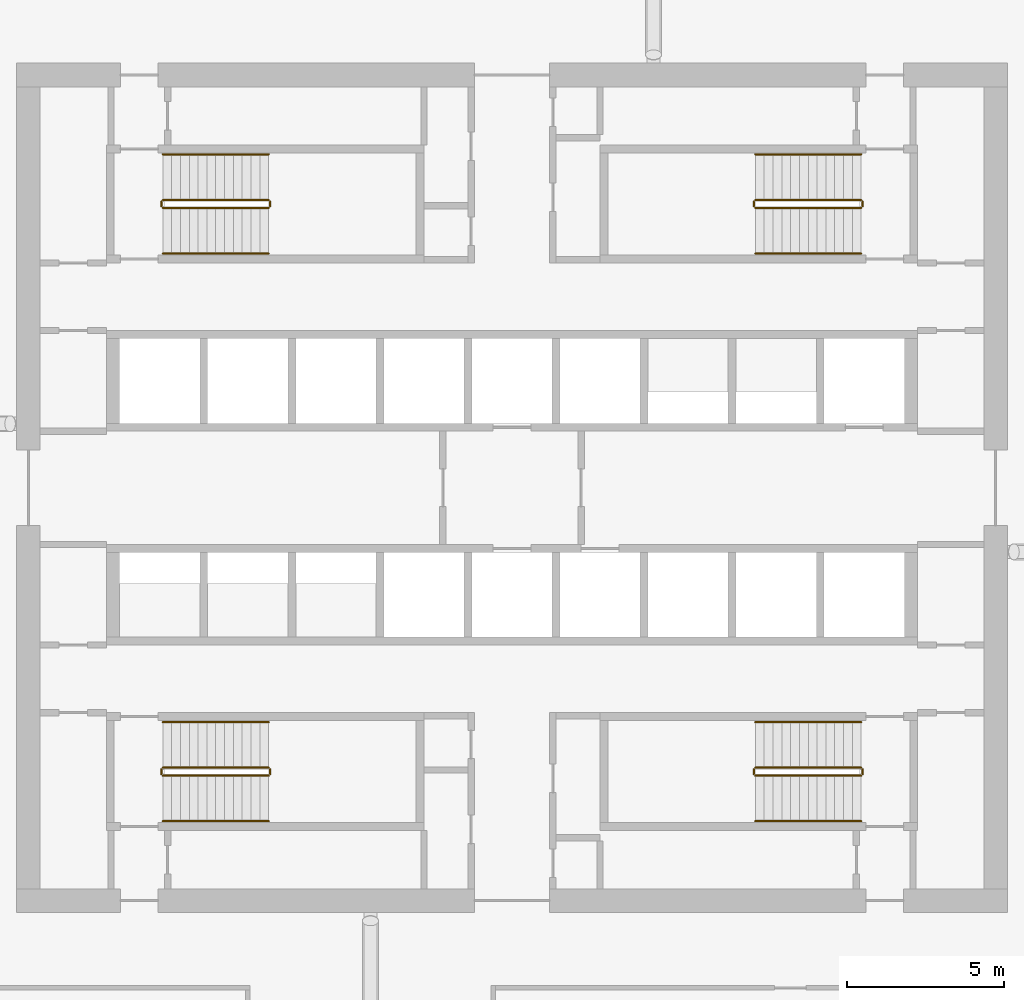
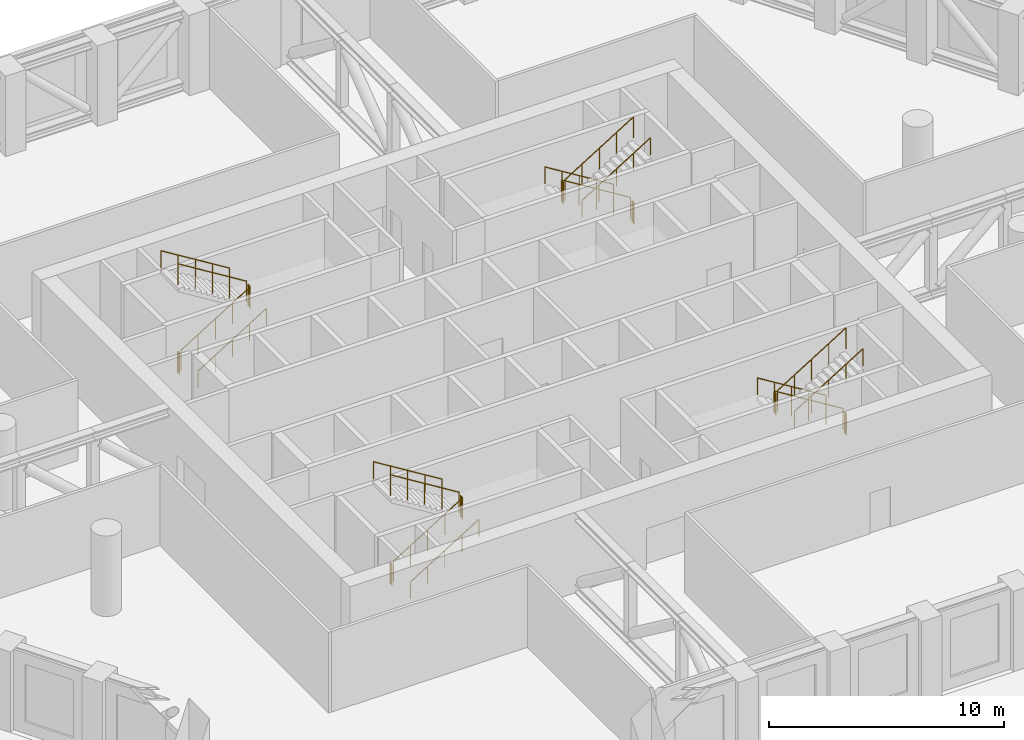
# One storey, part 18 of 18: 24 railings.
"""IFC4 building model written with IfcOpenShell, lengths in metres."""

from ifc_helpers import new_model, si_unit, direction, frame, origin, origin_2d, place, context, subcontext, project, spatial, circle, extrude, material, type_object, element, save


model = new_model("IFC4")

# Units and contexts
model_context = context("Model", 3, precision=1e-05, world=origin(), true_north=direction((0.0, 1.0)))
body_context = subcontext(model_context, "Body", "Model", "MODEL_VIEW")
ifc_project = project(units=[si_unit("LENGTHUNIT", "METRE"), si_unit("AREAUNIT", "SQUARE_METRE"), si_unit("VOLUMEUNIT", "CUBIC_METRE"), si_unit("PLANEANGLEUNIT", "RADIAN"), si_unit("MASSUNIT", "GRAM", prefix="KILO")], contexts=[model_context])

# Site, building, storey
site_placement = place(None, origin())
site = spatial("IfcSite", under=ifc_project, at=site_placement, CompositionType="ELEMENT")
building_placement = place(site_placement, origin())
building = spatial("IfcBuilding", under=site, at=building_placement, Name="Dhurran Vertical Campus", CompositionType="ELEMENT")
storey_placement = place(building_placement, frame((0.0, 0.0, 128.10009765625)))
storey = spatial("IfcBuildingStorey", under=building, at=storey_placement, Name="L31 Plant", CompositionType="ELEMENT", Elevation=128.10009765625)

# Railings
ifc_material_1 = material(Name="Stainless steel balustrade", Category="steel")
railing_type_1 = type_object("IfcRailingType", Name="co-RL-GUARD-1100", PredefinedType="GUARDRAIL", material=ifc_material_1)
railing_1_placement = place(storey_placement, frame((-11.10009765625, 8.89990234375, 0.173095703125)))
element("IfcRailing", 1, at=railing_1_placement, inside=storey, type_object=railing_type_1, Name="L31 Plant ST1 stair guard 1", PredefinedType="GUARDRAIL", context=body_context, shape_type="SweptSolid", body=[
    extrude(circle(Radius=0.02392578125, at=origin_2d()), frame((0.0, 0.0, 1.076171875), z_axis=(0.850623216509, 0.0, 0.525775754039), x_axis=(0.0, 1.0, 0.0)), (0.0, 0.0, 1.0), 3.9501953125),
    extrude(circle(Radius=0.02099609375, at=origin_2d()), origin(), (0.0, 0.0, 1.0), 1.052001953125),
    extrude(circle(Radius=0.02099609375, at=origin_2d()), frame((0.840087890625, 0.0, 0.519287109375)), (0.0, 0.0, 1.0), 1.052001953125),
    extrude(circle(Radius=0.02099609375, at=origin_2d()), frame((1.68017578125, 0.0, 1.03857421875)), (0.0, 0.0, 1.0), 1.052001953125),
    extrude(circle(Radius=0.02099609375, at=origin_2d()), frame((2.52001953125, 0.0, 1.5576171875)), (0.0, 0.0, 1.0), 1.052001953125),
    extrude(circle(Radius=0.02099609375, at=origin_2d()), frame((3.360107421875, 0.0, 2.076904296875)), (0.0, 0.0, 1.0), 1.052001953125),
])
railing_2_placement = place(storey_placement, frame((-7.68994140625, 8.949951171875, 2.25)))
element("IfcRailing", 2, at=railing_2_placement, inside=storey, type_object=railing_type_1, Name="L31 Plant ST1 stair guard 2", PredefinedType="GUARDRAIL", context=body_context, shape_type="SweptSolid", body=[
    extrude(circle(Radius=0.02392578125, at=origin_2d()), frame((0.0, 0.0, 1.076171875), z_axis=(0.0, 1.0, 0.0), x_axis=(-1.0, 0.0, 0.0)), (0.0, 0.0, 1.0), 0.150146484375),
    extrude(circle(Radius=0.02099609375, at=origin_2d()), origin(), (0.0, 0.0, 1.0), 1.052001953125),
    extrude(circle(Radius=0.02099609375, at=origin_2d()), frame((0.0, 0.150146484375, 0.0)), (0.0, 0.0, 1.0), 1.052001953125),
])
railing_3_placement = place(storey_placement, frame((-7.739990234375, 9.14990234375, 2.423095703125)))
element("IfcRailing", 3, at=railing_3_placement, inside=storey, type_object=railing_type_1, Name="L31 Plant ST1 stair guard 3", PredefinedType="GUARDRAIL", context=body_context, shape_type="SweptSolid", body=[
    extrude(circle(Radius=0.02392578125, at=origin_2d()), frame((0.0, 0.0, 1.076171875), z_axis=(-0.850623216509, 0.0, 0.525775754039), x_axis=(0.0, -1.0, 0.0)), (0.0, 0.0, 1.0), 3.9501953125),
    extrude(circle(Radius=0.02099609375, at=origin_2d()), origin(), (0.0, 0.0, 1.0), 1.052001953125),
    extrude(circle(Radius=0.02099609375, at=origin_2d()), frame((-0.840087890625, 0.0, 0.519287109375)), (0.0, 0.0, 1.0), 1.052001953125),
    extrude(circle(Radius=0.02099609375, at=origin_2d()), frame((-1.68017578125, 0.0, 1.03857421875)), (0.0, 0.0, 1.0), 1.052001953125),
    extrude(circle(Radius=0.02099609375, at=origin_2d()), frame((-2.52001953125, 0.0, 1.5576171875)), (0.0, 0.0, 1.0), 1.052001953125),
    extrude(circle(Radius=0.02099609375, at=origin_2d()), frame((-3.360107421875, 0.0, 2.076904296875)), (0.0, 0.0, 1.0), 1.052001953125),
])
railing_4_placement = place(storey_placement, frame((-11.14990234375, 8.949951171875, 0.0)))
element("IfcRailing", 4, at=railing_4_placement, inside=storey, type_object=railing_type_1, Name="L31 Plant ST1 stair guard 4", PredefinedType="GUARDRAIL", context=body_context, shape_type="SweptSolid", body=[
    extrude(circle(Radius=0.02392578125, at=origin_2d()), frame((0.0, 0.0, 1.076171875), z_axis=(0.0, 1.0, 0.0), x_axis=(-1.0, 0.0, 0.0)), (0.0, 0.0, 1.0), 0.150146484375),
    extrude(circle(Radius=0.02099609375, at=origin_2d()), origin(), (0.0, 0.0, 1.0), 1.052001953125),
    extrude(circle(Radius=0.02099609375, at=origin_2d()), frame((0.0, 0.150146484375, 0.0)), (0.0, 0.0, 1.0), 1.052001953125),
])
railing_5_placement = place(storey_placement, frame((11.10009765625, 9.14990234375, 0.173095703125)))
element("IfcRailing", 5, at=railing_5_placement, inside=storey, type_object=railing_type_1, Name="L31 Plant ST2 stair guard 1", PredefinedType="GUARDRAIL", context=body_context, shape_type="SweptSolid", body=[
    extrude(circle(Radius=0.02392578125, at=origin_2d()), frame((0.0, 0.0, 1.076171875), z_axis=(-0.850623216509, 0.0, 0.525775754039), x_axis=(0.0, -1.0, 0.0)), (0.0, 0.0, 1.0), 3.9501953125),
    extrude(circle(Radius=0.02099609375, at=origin_2d()), origin(), (0.0, 0.0, 1.0), 1.052001953125),
    extrude(circle(Radius=0.02099609375, at=origin_2d()), frame((-0.840087890625, 0.0, 0.519287109375)), (0.0, 0.0, 1.0), 1.052001953125),
    extrude(circle(Radius=0.02099609375, at=origin_2d()), frame((-1.68017578125, 0.0, 1.03857421875)), (0.0, 0.0, 1.0), 1.052001953125),
    extrude(circle(Radius=0.02099609375, at=origin_2d()), frame((-2.52001953125, 0.0, 1.5576171875)), (0.0, 0.0, 1.0), 1.052001953125),
    extrude(circle(Radius=0.02099609375, at=origin_2d()), frame((-3.360107421875, 0.0, 2.076904296875)), (0.0, 0.0, 1.0), 1.052001953125),
])
railing_6_placement = place(storey_placement, frame((7.68994140625, 9.10009765625, 2.25)))
element("IfcRailing", 6, at=railing_6_placement, inside=storey, type_object=railing_type_1, Name="L31 Plant ST2 stair guard 2", PredefinedType="GUARDRAIL", context=body_context, shape_type="SweptSolid", body=[
    extrude(circle(Radius=0.02392578125, at=origin_2d()), frame((0.0, 0.0, 1.076171875), z_axis=(0.0, -1.0, 0.0), x_axis=(1.0, 0.0, 0.0)), (0.0, 0.0, 1.0), 0.150146484375),
    extrude(circle(Radius=0.02099609375, at=origin_2d()), origin(), (0.0, 0.0, 1.0), 1.052001953125),
    extrude(circle(Radius=0.02099609375, at=origin_2d()), frame((0.0, -0.150146484375, 0.0)), (0.0, 0.0, 1.0), 1.052001953125),
])
railing_7_placement = place(storey_placement, frame((7.739990234375, 8.89990234375, 2.423095703125)))
element("IfcRailing", 7, at=railing_7_placement, inside=storey, type_object=railing_type_1, Name="L31 Plant ST2 stair guard 3", PredefinedType="GUARDRAIL", context=body_context, shape_type="SweptSolid", body=[
    extrude(circle(Radius=0.02392578125, at=origin_2d()), frame((0.0, 0.0, 1.076171875), z_axis=(0.850623216509, 0.0, 0.525775754039), x_axis=(0.0, 1.0, 0.0)), (0.0, 0.0, 1.0), 3.9501953125),
    extrude(circle(Radius=0.02099609375, at=origin_2d()), origin(), (0.0, 0.0, 1.0), 1.052001953125),
    extrude(circle(Radius=0.02099609375, at=origin_2d()), frame((0.840087890625, 0.0, 0.519287109375)), (0.0, 0.0, 1.0), 1.052001953125),
    extrude(circle(Radius=0.02099609375, at=origin_2d()), frame((1.68017578125, 0.0, 1.03857421875)), (0.0, 0.0, 1.0), 1.052001953125),
    extrude(circle(Radius=0.02099609375, at=origin_2d()), frame((2.52001953125, 0.0, 1.5576171875)), (0.0, 0.0, 1.0), 1.052001953125),
    extrude(circle(Radius=0.02099609375, at=origin_2d()), frame((3.360107421875, 0.0, 2.076904296875)), (0.0, 0.0, 1.0), 1.052001953125),
])
railing_8_placement = place(storey_placement, frame((11.14990234375, 9.10009765625, 0.0)))
element("IfcRailing", 8, at=railing_8_placement, inside=storey, type_object=railing_type_1, Name="L31 Plant ST2 stair guard 4", PredefinedType="GUARDRAIL", context=body_context, shape_type="SweptSolid", body=[
    extrude(circle(Radius=0.02392578125, at=origin_2d()), frame((0.0, 0.0, 1.076171875), z_axis=(0.0, -1.0, 0.0), x_axis=(1.0, 0.0, 0.0)), (0.0, 0.0, 1.0), 0.150146484375),
    extrude(circle(Radius=0.02099609375, at=origin_2d()), origin(), (0.0, 0.0, 1.0), 1.052001953125),
    extrude(circle(Radius=0.02099609375, at=origin_2d()), frame((0.0, -0.150146484375, 0.0)), (0.0, 0.0, 1.0), 1.052001953125),
])
railing_9_placement = place(storey_placement, frame((-11.10009765625, -9.14990234375, 0.173095703125)))
element("IfcRailing", 9, at=railing_9_placement, inside=storey, type_object=railing_type_1, Name="L31 Plant ST3 stair guard 1", PredefinedType="GUARDRAIL", context=body_context, shape_type="SweptSolid", body=[
    extrude(circle(Radius=0.02392578125, at=origin_2d()), frame((0.0, 0.0, 1.076171875), z_axis=(0.850623216509, 0.0, 0.525775754039), x_axis=(0.0, 1.0, 0.0)), (0.0, 0.0, 1.0), 3.9501953125),
    extrude(circle(Radius=0.02099609375, at=origin_2d()), origin(), (0.0, 0.0, 1.0), 1.052001953125),
    extrude(circle(Radius=0.02099609375, at=origin_2d()), frame((0.840087890625, 0.0, 0.519287109375)), (0.0, 0.0, 1.0), 1.052001953125),
    extrude(circle(Radius=0.02099609375, at=origin_2d()), frame((1.68017578125, 0.0, 1.03857421875)), (0.0, 0.0, 1.0), 1.052001953125),
    extrude(circle(Radius=0.02099609375, at=origin_2d()), frame((2.52001953125, 0.0, 1.5576171875)), (0.0, 0.0, 1.0), 1.052001953125),
    extrude(circle(Radius=0.02099609375, at=origin_2d()), frame((3.360107421875, 0.0, 2.076904296875)), (0.0, 0.0, 1.0), 1.052001953125),
])
railing_10_placement = place(storey_placement, frame((-7.68994140625, -9.10009765625, 2.25)))
element("IfcRailing", 10, at=railing_10_placement, inside=storey, type_object=railing_type_1, Name="L31 Plant ST3 stair guard 2", PredefinedType="GUARDRAIL", context=body_context, shape_type="SweptSolid", body=[
    extrude(circle(Radius=0.02392578125, at=origin_2d()), frame((0.0, 0.0, 1.076171875), z_axis=(0.0, 1.0, 0.0), x_axis=(-1.0, 0.0, 0.0)), (0.0, 0.0, 1.0), 0.150146484375),
    extrude(circle(Radius=0.02099609375, at=origin_2d()), origin(), (0.0, 0.0, 1.0), 1.052001953125),
    extrude(circle(Radius=0.02099609375, at=origin_2d()), frame((0.0, 0.150146484375, 0.0)), (0.0, 0.0, 1.0), 1.052001953125),
])
railing_11_placement = place(storey_placement, frame((-7.739990234375, -8.89990234375, 2.423095703125)))
element("IfcRailing", 11, at=railing_11_placement, inside=storey, type_object=railing_type_1, Name="L31 Plant ST3 stair guard 3", PredefinedType="GUARDRAIL", context=body_context, shape_type="SweptSolid", body=[
    extrude(circle(Radius=0.02392578125, at=origin_2d()), frame((0.0, 0.0, 1.076171875), z_axis=(-0.850623216509, 0.0, 0.525775754039), x_axis=(0.0, -1.0, 0.0)), (0.0, 0.0, 1.0), 3.9501953125),
    extrude(circle(Radius=0.02099609375, at=origin_2d()), origin(), (0.0, 0.0, 1.0), 1.052001953125),
    extrude(circle(Radius=0.02099609375, at=origin_2d()), frame((-0.840087890625, 0.0, 0.519287109375)), (0.0, 0.0, 1.0), 1.052001953125),
    extrude(circle(Radius=0.02099609375, at=origin_2d()), frame((-1.68017578125, 0.0, 1.03857421875)), (0.0, 0.0, 1.0), 1.052001953125),
    extrude(circle(Radius=0.02099609375, at=origin_2d()), frame((-2.52001953125, 0.0, 1.5576171875)), (0.0, 0.0, 1.0), 1.052001953125),
    extrude(circle(Radius=0.02099609375, at=origin_2d()), frame((-3.360107421875, 0.0, 2.076904296875)), (0.0, 0.0, 1.0), 1.052001953125),
])
railing_12_placement = place(storey_placement, frame((-11.14990234375, -9.10009765625, 0.0)))
element("IfcRailing", 12, at=railing_12_placement, inside=storey, type_object=railing_type_1, Name="L31 Plant ST3 stair guard 4", PredefinedType="GUARDRAIL", context=body_context, shape_type="SweptSolid", body=[
    extrude(circle(Radius=0.02392578125, at=origin_2d()), frame((0.0, 0.0, 1.076171875), z_axis=(0.0, 1.0, 0.0), x_axis=(-1.0, 0.0, 0.0)), (0.0, 0.0, 1.0), 0.150146484375),
    extrude(circle(Radius=0.02099609375, at=origin_2d()), origin(), (0.0, 0.0, 1.0), 1.052001953125),
    extrude(circle(Radius=0.02099609375, at=origin_2d()), frame((0.0, 0.150146484375, 0.0)), (0.0, 0.0, 1.0), 1.052001953125),
])
railing_13_placement = place(storey_placement, frame((11.10009765625, -8.89990234375, 0.173095703125)))
element("IfcRailing", 13, at=railing_13_placement, inside=storey, type_object=railing_type_1, Name="L31 Plant ST4 stair guard 1", PredefinedType="GUARDRAIL", context=body_context, shape_type="SweptSolid", body=[
    extrude(circle(Radius=0.02392578125, at=origin_2d()), frame((0.0, 0.0, 1.076171875), z_axis=(-0.850623216509, 0.0, 0.525775754039), x_axis=(0.0, -1.0, 0.0)), (0.0, 0.0, 1.0), 3.9501953125),
    extrude(circle(Radius=0.02099609375, at=origin_2d()), origin(), (0.0, 0.0, 1.0), 1.052001953125),
    extrude(circle(Radius=0.02099609375, at=origin_2d()), frame((-0.840087890625, 0.0, 0.519287109375)), (0.0, 0.0, 1.0), 1.052001953125),
    extrude(circle(Radius=0.02099609375, at=origin_2d()), frame((-1.68017578125, 0.0, 1.03857421875)), (0.0, 0.0, 1.0), 1.052001953125),
    extrude(circle(Radius=0.02099609375, at=origin_2d()), frame((-2.52001953125, 0.0, 1.5576171875)), (0.0, 0.0, 1.0), 1.052001953125),
    extrude(circle(Radius=0.02099609375, at=origin_2d()), frame((-3.360107421875, 0.0, 2.076904296875)), (0.0, 0.0, 1.0), 1.052001953125),
])
railing_14_placement = place(storey_placement, frame((7.68994140625, -8.949951171875, 2.25)))
element("IfcRailing", 14, at=railing_14_placement, inside=storey, type_object=railing_type_1, Name="L31 Plant ST4 stair guard 2", PredefinedType="GUARDRAIL", context=body_context, shape_type="SweptSolid", body=[
    extrude(circle(Radius=0.02392578125, at=origin_2d()), frame((0.0, 0.0, 1.076171875), z_axis=(0.0, -1.0, 0.0), x_axis=(1.0, 0.0, 0.0)), (0.0, 0.0, 1.0), 0.150146484375),
    extrude(circle(Radius=0.02099609375, at=origin_2d()), origin(), (0.0, 0.0, 1.0), 1.052001953125),
    extrude(circle(Radius=0.02099609375, at=origin_2d()), frame((0.0, -0.150146484375, 0.0)), (0.0, 0.0, 1.0), 1.052001953125),
])
railing_15_placement = place(storey_placement, frame((7.739990234375, -9.14990234375, 2.423095703125)))
element("IfcRailing", 15, at=railing_15_placement, inside=storey, type_object=railing_type_1, Name="L31 Plant ST4 stair guard 3", PredefinedType="GUARDRAIL", context=body_context, shape_type="SweptSolid", body=[
    extrude(circle(Radius=0.02392578125, at=origin_2d()), frame((0.0, 0.0, 1.076171875), z_axis=(0.850623216509, 0.0, 0.525775754039), x_axis=(0.0, 1.0, 0.0)), (0.0, 0.0, 1.0), 3.9501953125),
    extrude(circle(Radius=0.02099609375, at=origin_2d()), origin(), (0.0, 0.0, 1.0), 1.052001953125),
    extrude(circle(Radius=0.02099609375, at=origin_2d()), frame((0.840087890625, 0.0, 0.519287109375)), (0.0, 0.0, 1.0), 1.052001953125),
    extrude(circle(Radius=0.02099609375, at=origin_2d()), frame((1.68017578125, 0.0, 1.03857421875)), (0.0, 0.0, 1.0), 1.052001953125),
    extrude(circle(Radius=0.02099609375, at=origin_2d()), frame((2.52001953125, 0.0, 1.5576171875)), (0.0, 0.0, 1.0), 1.052001953125),
    extrude(circle(Radius=0.02099609375, at=origin_2d()), frame((3.360107421875, 0.0, 2.076904296875)), (0.0, 0.0, 1.0), 1.052001953125),
])
railing_16_placement = place(storey_placement, frame((11.14990234375, -8.949951171875, 0.0)))
element("IfcRailing", 16, at=railing_16_placement, inside=storey, type_object=railing_type_1, Name="L31 Plant ST4 stair guard 4", PredefinedType="GUARDRAIL", context=body_context, shape_type="SweptSolid", body=[
    extrude(circle(Radius=0.02392578125, at=origin_2d()), frame((0.0, 0.0, 1.076171875), z_axis=(0.0, -1.0, 0.0), x_axis=(1.0, 0.0, 0.0)), (0.0, 0.0, 1.0), 0.150146484375),
    extrude(circle(Radius=0.02099609375, at=origin_2d()), origin(), (0.0, 0.0, 1.0), 1.052001953125),
    extrude(circle(Radius=0.02099609375, at=origin_2d()), frame((0.0, -0.150146484375, 0.0)), (0.0, 0.0, 1.0), 1.052001953125),
])
ifc_material_2 = material(Name="Stainless steel handrail", Category="steel")
railing_type_2 = type_object("IfcRailingType", Name="co-RL-HANDRAIL-900", PredefinedType="HANDRAIL", material=ifc_material_2)
railing_17_placement = place(storey_placement, frame((-11.10009765625, 7.449951171875, 0.173095703125)))
element("IfcRailing", 17, at=railing_17_placement, inside=storey, type_object=railing_type_2, Name="L31 Plant ST1 stair handrail 1", PredefinedType="HANDRAIL", context=body_context, shape_type="SweptSolid", body=[
    extrude(circle(Radius=0.02392578125, at=origin_2d()), frame((0.0, 0.0, 0.8759765625), z_axis=(0.850623216509, 0.0, 0.525775754039), x_axis=(0.0, 1.0, 0.0)), (0.0, 0.0, 1.0), 3.9501953125),
    extrude(circle(Radius=0.02099609375, at=origin_2d()), origin(), (0.0, 0.0, 1.0), 0.851806640625),
    extrude(circle(Radius=0.02099609375, at=origin_2d()), frame((0.840087890625, 0.0, 0.519287109375)), (0.0, 0.0, 1.0), 0.851806640625),
    extrude(circle(Radius=0.02099609375, at=origin_2d()), frame((1.68017578125, 0.0, 1.03857421875)), (0.0, 0.0, 1.0), 0.851806640625),
    extrude(circle(Radius=0.02099609375, at=origin_2d()), frame((2.52001953125, 0.0, 1.5576171875)), (0.0, 0.0, 1.0), 0.851806640625),
    extrude(circle(Radius=0.02099609375, at=origin_2d()), frame((3.360107421875, 0.0, 2.076904296875)), (0.0, 0.0, 1.0), 0.851806640625),
])
for number, where, name in (
    (18, (-7.739990234375, 10.60009765625, 2.423095703125), "L31 Plant ST1 stair handrail 2"),
    (19, (11.10009765625, 10.60009765625, 0.173095703125), "L31 Plant ST2 stair handrail 1"),
):
    element("IfcRailing", number, at=place(storey_placement, frame(where)), inside=storey, type_object=railing_type_2, Name=name, PredefinedType="HANDRAIL", context=body_context, shape_type="SweptSolid", body=[
        extrude(circle(Radius=0.02392578125, at=origin_2d()), frame((0.0, 0.0, 0.8759765625), z_axis=(-0.850623216509, 0.0, 0.525775754039), x_axis=(0.0, -1.0, 0.0)), (0.0, 0.0, 1.0), 3.9501953125),
        extrude(circle(Radius=0.02099609375, at=origin_2d()), origin(), (0.0, 0.0, 1.0), 0.851806640625),
        extrude(circle(Radius=0.02099609375, at=origin_2d()), frame((-0.840087890625, 0.0, 0.519287109375)), (0.0, 0.0, 1.0), 0.851806640625),
        extrude(circle(Radius=0.02099609375, at=origin_2d()), frame((-1.68017578125, 0.0, 1.03857421875)), (0.0, 0.0, 1.0), 0.851806640625),
        extrude(circle(Radius=0.02099609375, at=origin_2d()), frame((-2.52001953125, 0.0, 1.5576171875)), (0.0, 0.0, 1.0), 0.851806640625),
        extrude(circle(Radius=0.02099609375, at=origin_2d()), frame((-3.360107421875, 0.0, 2.076904296875)), (0.0, 0.0, 1.0), 0.851806640625),
    ])
for number, where, name in (
    (20, (7.739990234375, 7.449951171875, 2.423095703125), "L31 Plant ST2 stair handrail 2"),
    (21, (-11.10009765625, -10.60009765625, 0.173095703125), "L31 Plant ST3 stair handrail 1"),
):
    element("IfcRailing", number, at=place(storey_placement, frame(where)), inside=storey, type_object=railing_type_2, Name=name, PredefinedType="HANDRAIL", context=body_context, shape_type="SweptSolid", body=[
        extrude(circle(Radius=0.02392578125, at=origin_2d()), frame((0.0, 0.0, 0.8759765625), z_axis=(0.850623216509, 0.0, 0.525775754039), x_axis=(0.0, 1.0, 0.0)), (0.0, 0.0, 1.0), 3.9501953125),
        extrude(circle(Radius=0.02099609375, at=origin_2d()), origin(), (0.0, 0.0, 1.0), 0.851806640625),
        extrude(circle(Radius=0.02099609375, at=origin_2d()), frame((0.840087890625, 0.0, 0.519287109375)), (0.0, 0.0, 1.0), 0.851806640625),
        extrude(circle(Radius=0.02099609375, at=origin_2d()), frame((1.68017578125, 0.0, 1.03857421875)), (0.0, 0.0, 1.0), 0.851806640625),
        extrude(circle(Radius=0.02099609375, at=origin_2d()), frame((2.52001953125, 0.0, 1.5576171875)), (0.0, 0.0, 1.0), 0.851806640625),
        extrude(circle(Radius=0.02099609375, at=origin_2d()), frame((3.360107421875, 0.0, 2.076904296875)), (0.0, 0.0, 1.0), 0.851806640625),
    ])
for number, where, name in (
    (22, (-7.739990234375, -7.449951171875, 2.423095703125), "L31 Plant ST3 stair handrail 2"),
    (23, (11.10009765625, -7.449951171875, 0.173095703125), "L31 Plant ST4 stair handrail 1"),
):
    element("IfcRailing", number, at=place(storey_placement, frame(where)), inside=storey, type_object=railing_type_2, Name=name, PredefinedType="HANDRAIL", context=body_context, shape_type="SweptSolid", body=[
        extrude(circle(Radius=0.02392578125, at=origin_2d()), frame((0.0, 0.0, 0.8759765625), z_axis=(-0.850623216509, 0.0, 0.525775754039), x_axis=(0.0, -1.0, 0.0)), (0.0, 0.0, 1.0), 3.9501953125),
        extrude(circle(Radius=0.02099609375, at=origin_2d()), origin(), (0.0, 0.0, 1.0), 0.851806640625),
        extrude(circle(Radius=0.02099609375, at=origin_2d()), frame((-0.840087890625, 0.0, 0.519287109375)), (0.0, 0.0, 1.0), 0.851806640625),
        extrude(circle(Radius=0.02099609375, at=origin_2d()), frame((-1.68017578125, 0.0, 1.03857421875)), (0.0, 0.0, 1.0), 0.851806640625),
        extrude(circle(Radius=0.02099609375, at=origin_2d()), frame((-2.52001953125, 0.0, 1.5576171875)), (0.0, 0.0, 1.0), 0.851806640625),
        extrude(circle(Radius=0.02099609375, at=origin_2d()), frame((-3.360107421875, 0.0, 2.076904296875)), (0.0, 0.0, 1.0), 0.851806640625),
    ])
railing_18_placement = place(storey_placement, frame((7.739990234375, -10.60009765625, 2.423095703125)))
element("IfcRailing", 24, at=railing_18_placement, inside=storey, type_object=railing_type_2, Name="L31 Plant ST4 stair handrail 2", PredefinedType="HANDRAIL", context=body_context, shape_type="SweptSolid", body=[
    extrude(circle(Radius=0.02392578125, at=origin_2d()), frame((0.0, 0.0, 0.8759765625), z_axis=(0.850623216509, 0.0, 0.525775754039), x_axis=(0.0, 1.0, 0.0)), (0.0, 0.0, 1.0), 3.9501953125),
    extrude(circle(Radius=0.02099609375, at=origin_2d()), origin(), (0.0, 0.0, 1.0), 0.851806640625),
    extrude(circle(Radius=0.02099609375, at=origin_2d()), frame((0.840087890625, 0.0, 0.519287109375)), (0.0, 0.0, 1.0), 0.851806640625),
    extrude(circle(Radius=0.02099609375, at=origin_2d()), frame((1.68017578125, 0.0, 1.03857421875)), (0.0, 0.0, 1.0), 0.851806640625),
    extrude(circle(Radius=0.02099609375, at=origin_2d()), frame((2.52001953125, 0.0, 1.5576171875)), (0.0, 0.0, 1.0), 0.851806640625),
    extrude(circle(Radius=0.02099609375, at=origin_2d()), frame((3.360107421875, 0.0, 2.076904296875)), (0.0, 0.0, 1.0), 0.851806640625),
])

save(model, "model.ifc")
